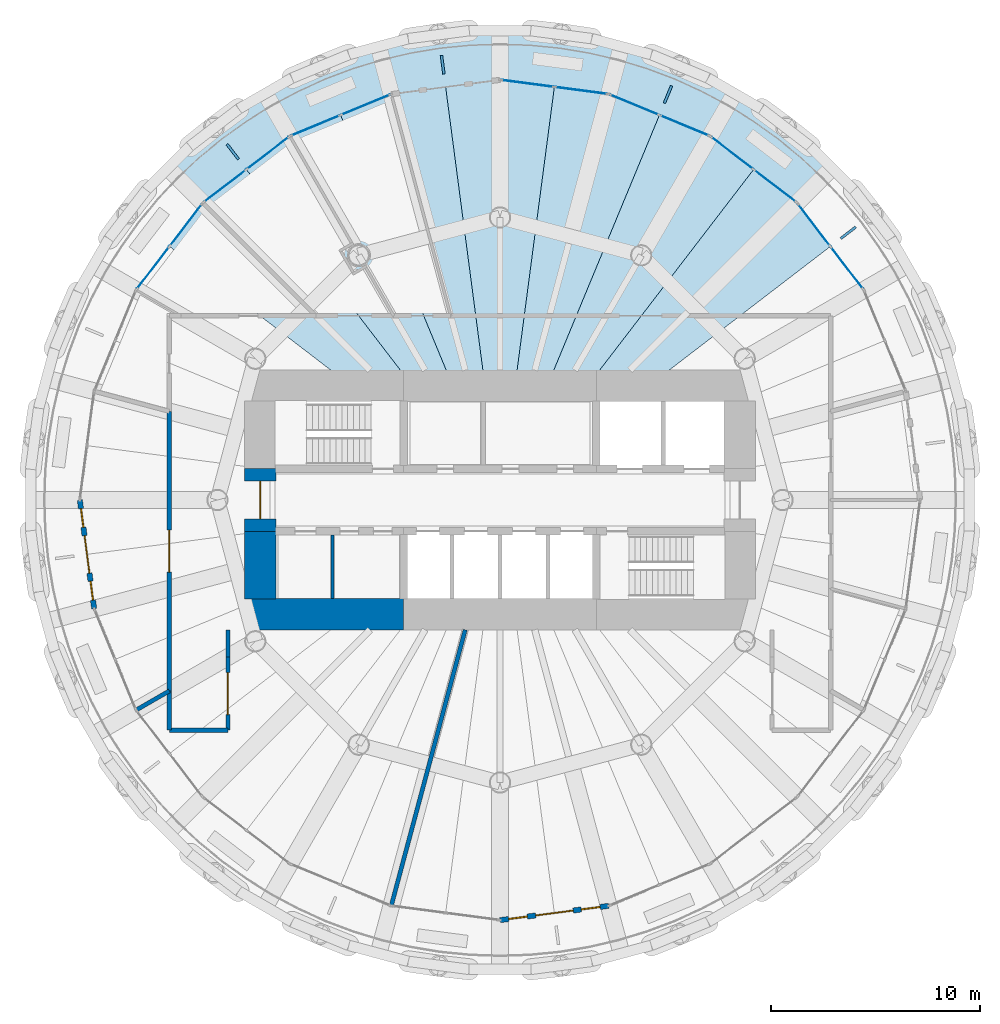
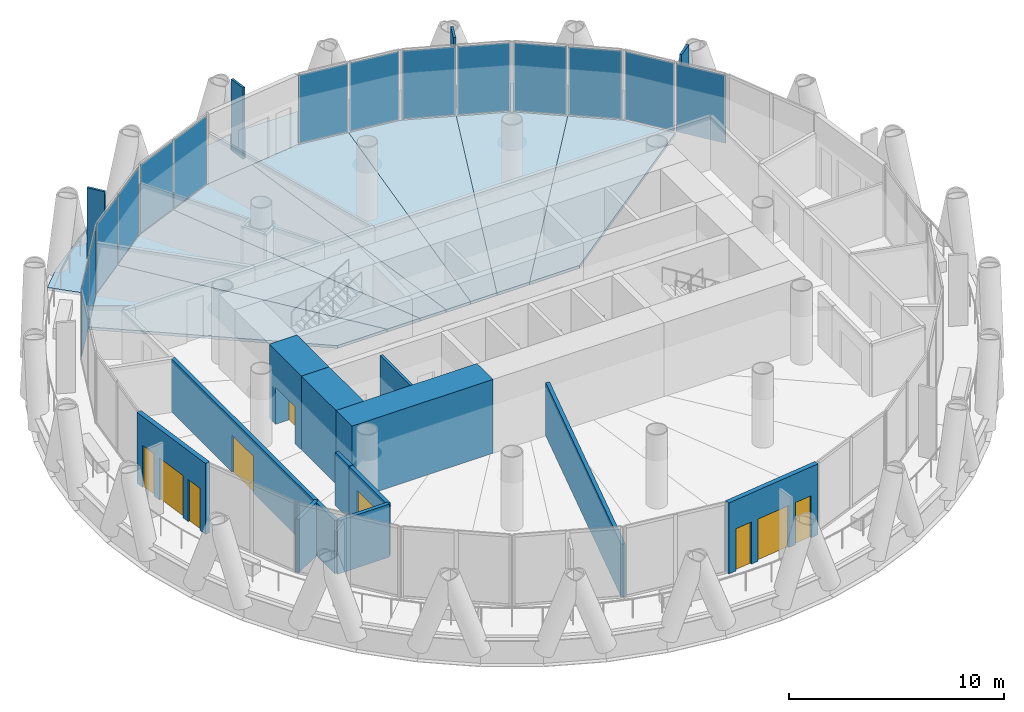
# One storey, part 9 of 15: 18 plates, 13 walls, 8 slabs, 5 doors, 4 windows, 9 openings, 7 elements without a shape of their own.
"""IFC4 building model written with IfcOpenShell, lengths in metres."""

from ifc_helpers import new_model, si_unit, direction, frame, frame_2d, origin, origin_2d, place, context, subcontext, project, spatial, polyline, rectangle, outline, extrude, material, layer, layer_set, type_object, element, fill, aggregate, save


model = new_model("IFC4")

# Units and contexts
model_context = context("Model", 3, precision=1e-05, world=origin(), true_north=direction((0.0, 1.0)))
body_context = subcontext(model_context, "Body", "Model", "MODEL_VIEW")
ifc_project = project(units=[si_unit("LENGTHUNIT", "METRE"), si_unit("AREAUNIT", "SQUARE_METRE"), si_unit("VOLUMEUNIT", "CUBIC_METRE"), si_unit("PLANEANGLEUNIT", "RADIAN"), si_unit("MASSUNIT", "GRAM", prefix="KILO")], contexts=[model_context])

# Site, building, storey
site_placement = place(None, origin())
site = spatial("IfcSite", under=ifc_project, at=site_placement, CompositionType="ELEMENT")
building_placement = place(site_placement, origin())
building = spatial("IfcBuilding", under=site, at=building_placement, Name="Qaws Media Tower", CompositionType="ELEMENT")
storey_placement = place(building_placement, frame((0.0, 0.0, 231.800048828125)))
storey = spatial("IfcBuildingStorey", under=building, at=storey_placement, Name="L53", CompositionType="ELEMENT", Elevation=231.800048828125)

# Slabs
ifc_material_1 = material(Name="Concrete C35/45", Category="concrete")
ifc_layer_1 = layer(ifc_material_1, 0.159912109375)
ifc_layer_set_1 = layer_set([ifc_layer_1], Name="Composite balcony slab 160")
slab_type_1 = type_object("IfcSlabType", Name="Composite balcony slab 160", PredefinedType="FLOOR", material=ifc_layer_set_1)
slab_1_placement = place(storey_placement, frame((0.0, 0.0, -0.16015625)))
element("IfcSlab", 1, at=slab_1_placement, inside=storey, type_object=slab_type_1, Name="S2 balcony slab L53 R04 to R10, movement joints on R04 and R10", PredefinedType="FLOOR", context=body_context, shape_type="SweptSolid", body=[
    extrude(outline(polyline([(45.18115234375, 66.897705078125), (47.513671875, 68.687255859375), (50.0595703125, 70.1572265625), (52.775634765625, 71.2822265625), (55.615234375, 72.043212890625), (58.530029296875, 72.427001953125), (61.469970703125, 72.427001953125), (64.384765625, 72.043212890625), (67.224365234375, 71.2822265625), (69.9404296875, 70.1572265625), (72.486328125, 68.687255859375), (74.81884765625, 66.897705078125), (75.858154296875, 65.858154296875), (74.1953125, 64.1953125), (70.03759765625, 67.385498046875), (65.19580078125, 69.39111328125), (60.0, 70.074951171875), (54.80419921875, 69.39111328125), (49.96240234375, 67.385498046875), (45.8046875, 64.1953125), (44.141845703125, 65.858154296875), (45.18115234375, 66.897705078125)])), origin(), (0.0, 0.0, 1.0), 0.16015625),
])
ifc_material_2 = material(Name="Concrete C35/45", Category="concrete")
ifc_layer_2 = layer(ifc_material_2, 0.159912109375)
ifc_layer_set_2 = layer_set([ifc_layer_2], Name="Composite floor slab 160")
slab_type_2 = type_object("IfcSlabType", Name="Composite floor slab 160", PredefinedType="FLOOR", material=ifc_layer_set_2)
slab_2_placement = place(storey_placement, frame((0.0, 0.0, -0.16015625)))
element("IfcSlab", 2, at=slab_2_placement, inside=storey, type_object=slab_type_2, Name="S1 floor panel L53 on R04", PredefinedType="FLOOR", context=body_context, shape_type="SweptSolid", body=[
    extrude(outline(polyline([(74.1953125, 64.1953125), (75.790283203125, 62.1162109375), (66.51611328125, 55.0), (63.836669921875, 55.0), (72.1162109375, 65.790283203125), (74.1953125, 64.1953125)])), origin(), (0.0, 0.0, 1.0), 0.16015625),
])
slab_3_placement = place(storey_placement, frame((0.0, 0.0, -0.16015625)))
element("IfcSlab", 3, at=slab_3_placement, inside=storey, type_object=slab_type_2, Name="S1 floor panel L53 on R05", PredefinedType="FLOOR", context=body_context, shape_type="SweptSolid", body=[
    extrude(outline(polyline([(70.03759765625, 67.385498046875), (72.1162109375, 65.790283203125), (63.836669921875, 55.0), (62.071044921875, 55.0), (67.61669921875, 68.38818359375), (70.03759765625, 67.385498046875)])), origin(), (0.0, 0.0, 1.0), 0.16015625),
])
slab_4_placement = place(storey_placement, frame((0.0, 0.0, -0.16015625)))
element("IfcSlab", 4, at=slab_4_placement, inside=storey, type_object=slab_type_2, Name="S1 floor panel L53 on R06", PredefinedType="FLOOR", context=body_context, shape_type="SweptSolid", body=[
    extrude(outline(polyline([(65.19580078125, 69.39111328125), (67.61669921875, 68.38818359375), (62.071044921875, 55.0), (60.658203125, 55.0), (62.597900390625, 69.73291015625), (65.19580078125, 69.39111328125)])), origin(), (0.0, 0.0, 1.0), 0.16015625),
])
slab_5_placement = place(storey_placement, frame((0.0, 0.0, -0.16015625)))
element("IfcSlab", 5, at=slab_5_placement, inside=storey, type_object=slab_type_2, Name="S1 floor panel L53 on R07", PredefinedType="FLOOR", context=body_context, shape_type="SweptSolid", body=[
    extrude(outline(polyline([(60.0, 70.074951171875), (62.597900390625, 69.73291015625), (60.658203125, 55.0), (59.341796875, 55.0), (57.402099609375, 69.73291015625), (60.0, 70.074951171875)])), origin(), (0.0, 0.0, 1.0), 0.16015625),
])
slab_6_placement = place(storey_placement, frame((0.0, 0.0, -0.16015625)))
element("IfcSlab", 6, at=slab_6_placement, inside=storey, type_object=slab_type_2, Name="S1 floor panel L53 on R08", PredefinedType="FLOOR", context=body_context, shape_type="SweptSolid", body=[
    extrude(outline(polyline([(54.80419921875, 69.39111328125), (57.402099609375, 69.73291015625), (59.341796875, 55.0), (57.928955078125, 55.0), (52.38330078125, 68.38818359375), (54.80419921875, 69.39111328125)])), origin(), (0.0, 0.0, 1.0), 0.16015625),
])
slab_7_placement = place(storey_placement, frame((0.0, 0.0, -0.16015625)))
element("IfcSlab", 7, at=slab_7_placement, inside=storey, type_object=slab_type_2, Name="S1 floor panel L53 on R09", PredefinedType="FLOOR", context=body_context, shape_type="SweptSolid", body=[
    extrude(outline(polyline([(49.96240234375, 67.385498046875), (52.38330078125, 68.38818359375), (57.928955078125, 55.0), (56.163330078125, 55.0), (47.8837890625, 65.790283203125), (49.96240234375, 67.385498046875)])), origin(), (0.0, 0.0, 1.0), 0.16015625),
])
slab_8_placement = place(storey_placement, frame((0.0, 0.0, -0.16015625)))
element("IfcSlab", 8, at=slab_8_placement, inside=storey, type_object=slab_type_2, Name="S1 floor panel L53 on R10", PredefinedType="FLOOR", context=body_context, shape_type="SweptSolid", body=[
    extrude(outline(polyline([(45.8046875, 64.1953125), (47.8837890625, 65.790283203125), (56.163330078125, 55.0), (53.48388671875, 55.0), (44.209716796875, 62.1162109375), (45.8046875, 64.1953125)])), origin(), (0.0, 0.0, 1.0), 0.16015625),
])

# Curtain wall, plates
ifc_material_3 = material(Name="Aluminium and clear glass", Category="aluminium")
curtain_wall_type = type_object("IfcCurtainWallType", Name="Unitised curtain wall CW-C", PredefinedType="NOTDEFINED", material=ifc_material_3)
curtain_wall_1_placement = place(storey_placement, origin())
curtain_wall_1 = element("IfcCurtainWall", 9, at=curtain_wall_1_placement, inside=storey, type_object=curtain_wall_type, Name="CWC curtain wall L53-03", PredefinedType="NOTDEFINED")
ifc_material_4 = material(Name="Clear laminated double glazing", Category="glass")
ifc_layer_3 = layer(ifc_material_4, 0.031982421875)
ifc_layer_set_3 = layer_set([ifc_layer_3], Name="Curtain wall glass unit 32")
plate_type_1 = type_object("IfcPlateType", Name="Curtain wall glass unit 32", PredefinedType="CURTAIN_PANEL", material=ifc_layer_set_3)
plate_1_placement = place(storey_placement, frame((76.57568359375, 61.0927734375, 0.080078125), z_axis=(0.0, 0.0, 1.0), x_axis=(-0.608761353254, 0.79335339842, 0.0)))
plate_1 = element("IfcPlate", 10, at=plate_1_placement, type_object=plate_type_1, Name="CWC panel 1.1", PredefinedType="CURTAIN_PANEL", context=body_context, shape_type="SweptSolid", body=[
    extrude(rectangle(XDim=2.500244140625, YDim=0.031982421875, at=origin_2d()), origin(), (0.0, 0.0, 1.0), 3.8798828125),
])
plate_2_placement = place(storey_placement, frame((75.0048828125, 63.139892578125, 0.080078125), z_axis=(0.0, 0.0, 1.0), x_axis=(-0.608761353254, 0.79335339842, 0.0)))
plate_2 = element("IfcPlate", 11, at=plate_2_placement, type_object=plate_type_1, Name="CWC panel 2.1", PredefinedType="CURTAIN_PANEL", context=body_context, shape_type="SweptSolid", body=[
    extrude(rectangle(XDim=2.500244140625, YDim=0.031982421875, at=origin_2d()), origin(), (0.0, 0.0, 1.0), 3.8798828125),
])
aggregate(curtain_wall_1, [plate_1, plate_2])

curtain_wall_2_placement = place(storey_placement, origin())
curtain_wall_2 = element("IfcCurtainWall", 12, at=curtain_wall_2_placement, inside=storey, type_object=curtain_wall_type, Name="CWC curtain wall L53-04", PredefinedType="NOTDEFINED")
plate_3_placement = place(storey_placement, frame((73.139892578125, 65.0048828125, 0.080078125), z_axis=(0.0, 0.0, 1.0), x_axis=(-0.79335339842, 0.608761353254, 0.0)))
plate_3 = element("IfcPlate", 13, at=plate_3_placement, type_object=plate_type_1, Name="CWC panel 1.1", PredefinedType="CURTAIN_PANEL", context=body_context, shape_type="SweptSolid", body=[
    extrude(rectangle(XDim=2.500244140625, YDim=0.031982421875, at=origin_2d()), origin(), (0.0, 0.0, 1.0), 3.8798828125),
])
plate_4_placement = place(storey_placement, frame((71.0927734375, 66.57568359375, 0.080078125), z_axis=(0.0, 0.0, 1.0), x_axis=(-0.79335339842, 0.608761353254, 0.0)))
plate_4 = element("IfcPlate", 14, at=plate_4_placement, type_object=plate_type_1, Name="CWC panel 2.1", PredefinedType="CURTAIN_PANEL", context=body_context, shape_type="SweptSolid", body=[
    extrude(rectangle(XDim=2.500244140625, YDim=0.031982421875, at=origin_2d()), origin(), (0.0, 0.0, 1.0), 3.8798828125),
])
aggregate(curtain_wall_2, [plate_3, plate_4])

curtain_wall_3_placement = place(storey_placement, origin())
curtain_wall_3 = element("IfcCurtainWall", 15, at=curtain_wall_3_placement, inside=storey, type_object=curtain_wall_type, Name="CWC curtain wall L53-05", PredefinedType="NOTDEFINED")
plate_5_placement = place(storey_placement, frame((68.80859375, 67.89453125, 0.080078125), z_axis=(0.0, 0.0, 1.0), x_axis=(-0.923879540513, 0.382683413048, 0.0)))
plate_5 = element("IfcPlate", 16, at=plate_5_placement, type_object=plate_type_1, Name="CWC panel 1.1", PredefinedType="CURTAIN_PANEL", context=body_context, shape_type="SweptSolid", body=[
    extrude(rectangle(XDim=2.500244140625, YDim=0.031982421875, at=origin_2d()), origin(), (0.0, 0.0, 1.0), 3.8798828125),
])
plate_6_placement = place(storey_placement, frame((66.4248046875, 68.8818359375, 0.080078125), z_axis=(0.0, 0.0, 1.0), x_axis=(-0.923879540513, 0.382683413048, 0.0)))
plate_6 = element("IfcPlate", 17, at=plate_6_placement, type_object=plate_type_1, Name="CWC panel 2.1", PredefinedType="CURTAIN_PANEL", context=body_context, shape_type="SweptSolid", body=[
    extrude(rectangle(XDim=2.500244140625, YDim=0.031982421875, at=origin_2d()), origin(), (0.0, 0.0, 1.0), 3.8798828125),
])
aggregate(curtain_wall_3, [plate_5, plate_6])

curtain_wall_4_placement = place(storey_placement, origin())
curtain_wall_4 = element("IfcCurtainWall", 18, at=curtain_wall_4_placement, inside=storey, type_object=curtain_wall_type, Name="CWC curtain wall L53-06", PredefinedType="NOTDEFINED")
plate_7_placement = place(storey_placement, frame((63.876953125, 69.564697265625, 0.080078125), z_axis=(0.0, 0.0, 1.0), x_axis=(-0.991444861219, 0.130526193397, 0.0)))
plate_7 = element("IfcPlate", 19, at=plate_7_placement, type_object=plate_type_1, Name="CWC panel 1.1", PredefinedType="CURTAIN_PANEL", context=body_context, shape_type="SweptSolid", body=[
    extrude(rectangle(XDim=2.500244140625, YDim=0.031982421875, at=origin_2d()), origin(), (0.0, 0.0, 1.0), 3.8798828125),
])
plate_8_placement = place(storey_placement, frame((61.31884765625, 69.9013671875, 0.080078125), z_axis=(0.0, 0.0, 1.0), x_axis=(-0.991444861219, 0.130526193397, 0.0)))
plate_8 = element("IfcPlate", 20, at=plate_8_placement, type_object=plate_type_1, Name="CWC panel 2.1", PredefinedType="CURTAIN_PANEL", context=body_context, shape_type="SweptSolid", body=[
    extrude(rectangle(XDim=2.500244140625, YDim=0.031982421875, at=origin_2d()), origin(), (0.0, 0.0, 1.0), 3.8798828125),
])
aggregate(curtain_wall_4, [plate_7, plate_8])

curtain_wall_5_placement = place(storey_placement, origin())
curtain_wall_5 = element("IfcCurtainWall", 21, at=curtain_wall_5_placement, inside=storey, type_object=curtain_wall_type, Name="CWC curtain wall L53-08", PredefinedType="NOTDEFINED")
plate_9_placement = place(storey_placement, frame((53.5751953125, 68.8818359375, 0.080078125), z_axis=(0.0, 0.0, 1.0), x_axis=(-0.923879540513, -0.382683413048, 0.0)))
plate_9 = element("IfcPlate", 22, at=plate_9_placement, type_object=plate_type_1, Name="CWC panel 1.1", PredefinedType="CURTAIN_PANEL", context=body_context, shape_type="SweptSolid", body=[
    extrude(rectangle(XDim=2.500244140625, YDim=0.031982421875, at=origin_2d()), origin(), (0.0, 0.0, 1.0), 3.8798828125),
])
plate_10_placement = place(storey_placement, frame((51.19140625, 67.89453125, 0.080078125), z_axis=(0.0, 0.0, 1.0), x_axis=(-0.923879540513, -0.382683413048, 0.0)))
plate_10 = element("IfcPlate", 23, at=plate_10_placement, type_object=plate_type_1, Name="CWC panel 2.1", PredefinedType="CURTAIN_PANEL", context=body_context, shape_type="SweptSolid", body=[
    extrude(rectangle(XDim=2.500244140625, YDim=0.031982421875, at=origin_2d()), origin(), (0.0, 0.0, 1.0), 3.8798828125),
])
aggregate(curtain_wall_5, [plate_9, plate_10])

curtain_wall_6_placement = place(storey_placement, origin())
curtain_wall_6 = element("IfcCurtainWall", 24, at=curtain_wall_6_placement, inside=storey, type_object=curtain_wall_type, Name="CWC curtain wall L53-09", PredefinedType="NOTDEFINED")
plate_11_placement = place(storey_placement, frame((48.9072265625, 66.57568359375, 0.080078125), z_axis=(0.0, 0.0, 1.0), x_axis=(-0.79335339842, -0.608761353254, 0.0)))
plate_11 = element("IfcPlate", 25, at=plate_11_placement, type_object=plate_type_1, Name="CWC panel 1.1", PredefinedType="CURTAIN_PANEL", context=body_context, shape_type="SweptSolid", body=[
    extrude(rectangle(XDim=2.500244140625, YDim=0.031982421875, at=origin_2d()), origin(), (0.0, 0.0, 1.0), 3.8798828125),
])
plate_12_placement = place(storey_placement, frame((46.860107421875, 65.0048828125, 0.080078125), z_axis=(0.0, 0.0, 1.0), x_axis=(-0.79335339842, -0.608761353254, 0.0)))
plate_12 = element("IfcPlate", 26, at=plate_12_placement, type_object=plate_type_1, Name="CWC panel 2.1", PredefinedType="CURTAIN_PANEL", context=body_context, shape_type="SweptSolid", body=[
    extrude(rectangle(XDim=2.500244140625, YDim=0.031982421875, at=origin_2d()), origin(), (0.0, 0.0, 1.0), 3.8798828125),
])
aggregate(curtain_wall_6, [plate_11, plate_12])

curtain_wall_7_placement = place(storey_placement, origin())
curtain_wall_7 = element("IfcCurtainWall", 27, at=curtain_wall_7_placement, inside=storey, type_object=curtain_wall_type, Name="CWC curtain wall L53-10", PredefinedType="NOTDEFINED")
plate_13_placement = place(storey_placement, frame((44.9951171875, 63.139892578125, 0.080078125), z_axis=(0.0, 0.0, 1.0), x_axis=(-0.608761353254, -0.79335339842, 0.0)))
plate_13 = element("IfcPlate", 28, at=plate_13_placement, type_object=plate_type_1, Name="CWC panel 1.1", PredefinedType="CURTAIN_PANEL", context=body_context, shape_type="SweptSolid", body=[
    extrude(rectangle(XDim=2.500244140625, YDim=0.031982421875, at=origin_2d()), origin(), (0.0, 0.0, 1.0), 3.8798828125),
])
plate_14_placement = place(storey_placement, frame((43.42431640625, 61.0927734375, 0.080078125), z_axis=(0.0, 0.0, 1.0), x_axis=(-0.608761353254, -0.79335339842, 0.0)))
plate_14 = element("IfcPlate", 29, at=plate_14_placement, type_object=plate_type_1, Name="CWC panel 2.1", PredefinedType="CURTAIN_PANEL", context=body_context, shape_type="SweptSolid", body=[
    extrude(rectangle(XDim=2.500244140625, YDim=0.031982421875, at=origin_2d()), origin(), (0.0, 0.0, 1.0), 3.8798828125),
])
aggregate(curtain_wall_7, [plate_13, plate_14])

# Plates
ifc_material_5 = material(Name="Precast concrete screen fin", Category="concrete")
ifc_layer_4 = layer(ifc_material_5, 0.1201171875)
ifc_layer_set_4 = layer_set([ifc_layer_4], Name="Screen fin 120x900")
plate_type_2 = type_object("IfcPlateType", Name="Screen fin 120x900", PredefinedType="USERDEFINED", material=ifc_layer_set_4)
for number, where, z_axis, x_axis, name in (
    (30, (76.640625, 62.768798828125, 0.0), (0.0, 0.0, 1.0), (0.793353340291, 0.608761429009, 0.0), "SCR1 screen fin L53-02"),
    (31, (68.02685546875, 69.37841796875, 0.0), (0.0, 0.0, 1.0), (0.382683432365, 0.923879532511, 0.0), "SCR1 screen fin L53-03"),
    (32, (57.26220703125, 70.795654296875, 0.0), (0.0, 0.0, 1.0), (-0.13052619222, 0.991444861374, 0.0), "SCR1 screen fin L53-04"),
    (33, (47.231201171875, 66.640625, 0.0), (0.0, 0.0, 1.0), (-0.608761429009, 0.793353340291, 0.0), "SCR1 screen fin L53-05"),
):
    element("IfcPlate", number, at=place(storey_placement, frame(where, z_axis=z_axis, x_axis=x_axis)), inside=storey, type_object=plate_type_2, Name=name, ObjectType="SCREEN", PredefinedType="USERDEFINED", context=body_context, shape_type="SweptSolid", body=[
        extrude(rectangle(XDim=0.89990234375, YDim=0.1201171875, at=origin_2d()), origin(), (0.0, 0.0, 1.0), 4.0400390625),
    ])

# Wall, openings, door, windows
ifc_material_6 = material(Name="Precast concrete, exposed finish", Category="concrete")
ifc_layer_5 = layer(ifc_material_6, 0.25)
ifc_layer_set_5 = layer_set([ifc_layer_5], Name="Balcony door wall 250")
wall_type_1 = type_object("IfcWallType", Name="Balcony door wall 250", PredefinedType="SOLIDWALL", material=ifc_layer_set_5)
wall_1_placement = place(storey_placement, frame((39.925048828125, 50.0, 0.0), z_axis=(0.0, 0.0, 1.0), x_axis=(0.130534047724, -0.991443827145, 0.0)))
wall_1 = element("IfcWall", 34, at=wall_1_placement, inside=storey, type_object=wall_type_1, Name="W248 EW1 balcony door wall L53-13", PredefinedType="SOLIDWALL", context=body_context, shape_type="SweptSolid", body=[
    extrude(rectangle(XDim=5.24072265625, YDim=0.25, at=frame_2d((2.620361328125, 0.0))), origin(), (0.0, 0.0, 1.0), 4.0400390625),
])
opening_1_placement = place(wall_1_placement, frame((1.72021484375, 0.0, 0.0)))
opening_1 = element("IfcOpeningElement", 35, at=opening_1_placement, cuts=wall_1, Name="Opening D7", PredefinedType="OPENING", context=body_context, shape_type="SweptSolid", body=[
    extrude(rectangle(XDim=1.800048828125, YDim=2.39990234375, at=frame_2d((0.89990234375, 1.199951171875))), frame((0.0, 0.135009765625, 0.0), z_axis=(0.0, -1.0, 0.0), x_axis=(1.0, 0.0, 0.0)), (0.0, 0.0, 1.0), 0.27001953125),
])
opening_2_placement = place(wall_1_placement, frame((0.42041015625, 0.0, 0.0)))
opening_2 = element("IfcOpeningElement", 36, at=opening_2_placement, cuts=wall_1, Name="Opening W7", PredefinedType="OPENING", context=body_context, shape_type="SweptSolid", body=[
    extrude(rectangle(XDim=0.89990234375, YDim=2.39990234375, at=frame_2d((0.449951171875, 1.199951171875))), frame((0.0, 0.135009765625, 0.0), z_axis=(0.0, -1.0, 0.0), x_axis=(1.0, 0.0, 0.0)), (0.0, 0.0, 1.0), 0.27001953125),
])
opening_3_placement = place(wall_1_placement, frame((3.92041015625, 0.0, 0.0)))
opening_3 = element("IfcOpeningElement", 37, at=opening_3_placement, cuts=wall_1, Name="Opening W7", PredefinedType="OPENING", context=body_context, shape_type="SweptSolid", body=[
    extrude(rectangle(XDim=0.89990234375, YDim=2.39990234375, at=frame_2d((0.449951171875, 1.199951171875))), frame((0.0, 0.135009765625, 0.0), z_axis=(0.0, -1.0, 0.0), x_axis=(1.0, 0.0, 0.0)), (0.0, 0.0, 1.0), 0.27001953125),
])
ifc_material_7 = material(Name="Aluminium and clear glass", Category="aluminium")
door_type_1 = type_object("IfcDoorType", Name="Balcony door pair 1800", OperationType="DOUBLE_DOOR_SLIDING", PredefinedType="DOOR", material=ifc_material_7)
door_1_placement = place(opening_1_placement, origin())
door_1 = element("IfcDoor", 38, at=door_1_placement, inside=storey, type_object=door_type_1, Name="D7 balcony door L53-13 in wall W248", OperationType="DOUBLE_DOOR_SLIDING", OverallHeight=2.39990234375, OverallWidth=1.800048828125, PredefinedType="DOOR", context=body_context, shape_type="SweptSolid", body=[
    extrude(rectangle(XDim=1.800048828125, YDim=2.39990234375, at=frame_2d((0.89990234375, 1.199951171875))), frame((0.0, 0.02490234375, 0.0), z_axis=(0.0, -1.0, 0.0), x_axis=(1.0, 0.0, 0.0)), (0.0, 0.0, 1.0), 0.050048828125),
])
fill(opening_1, door_1)
ifc_material_8 = material(Name="Aluminium and clear glass", Category="aluminium")
window_type = type_object("IfcWindowType", Name="Balcony side window 900", PartitioningType="SINGLE_PANEL", PredefinedType="WINDOW", material=ifc_material_8)
window_1_placement = place(opening_2_placement, origin())
window_1 = element("IfcWindow", 39, at=window_1_placement, inside=storey, type_object=window_type, Name="W1 balcony side light L53-13L", OverallHeight=2.39990234375, OverallWidth=0.89990234375, PartitioningType="SINGLE_PANEL", PredefinedType="WINDOW", context=body_context, shape_type="SweptSolid", body=[
    extrude(rectangle(XDim=0.89990234375, YDim=2.39990234375, at=frame_2d((0.449951171875, 1.199951171875))), frame((0.0, 0.030029296875, 0.0), z_axis=(0.0, -1.0, 0.0), x_axis=(1.0, 0.0, 0.0)), (0.0, 0.0, 1.0), 0.06005859375),
])
fill(opening_2, window_1)
window_2_placement = place(opening_3_placement, origin())
window_2 = element("IfcWindow", 40, at=window_2_placement, inside=storey, type_object=window_type, Name="W1 balcony side light L53-13R", OverallHeight=2.39990234375, OverallWidth=0.89990234375, PartitioningType="SINGLE_PANEL", PredefinedType="WINDOW", context=body_context, shape_type="SweptSolid", body=[
    extrude(rectangle(XDim=0.89990234375, YDim=2.39990234375, at=frame_2d((0.449951171875, 1.199951171875))), frame((0.0, 0.030029296875, 0.0), z_axis=(0.0, -1.0, 0.0), x_axis=(1.0, 0.0, 0.0)), (0.0, 0.0, 1.0), 0.06005859375),
])
fill(opening_3, window_2)

wall_2_placement = place(storey_placement, frame((60.0, 29.925048828125, 0.0), z_axis=(0.0, 0.0, 1.0), x_axis=(0.991443827145, 0.130534047724, 0.0)))
wall_2 = element("IfcWall", 41, at=wall_2_placement, inside=storey, type_object=wall_type_1, Name="W249 EW1 balcony door wall L53-19", PredefinedType="SOLIDWALL", context=body_context, shape_type="SweptSolid", body=[
    extrude(rectangle(XDim=5.24072265625, YDim=0.25, at=frame_2d((2.620361328125, 0.0))), origin(), (0.0, 0.0, 1.0), 4.0400390625),
])
opening_4_placement = place(wall_2_placement, frame((1.72021484375, 0.0, 0.0)))
opening_4 = element("IfcOpeningElement", 42, at=opening_4_placement, cuts=wall_2, Name="Opening D7", PredefinedType="OPENING", context=body_context, shape_type="SweptSolid", body=[
    extrude(rectangle(XDim=1.800048828125, YDim=2.39990234375, at=frame_2d((0.89990234375, 1.199951171875))), frame((0.0, 0.135009765625, 0.0), z_axis=(0.0, -1.0, 0.0), x_axis=(1.0, 0.0, 0.0)), (0.0, 0.0, 1.0), 0.27001953125),
])
opening_5_placement = place(wall_2_placement, frame((0.42041015625, 0.0, 0.0)))
opening_5 = element("IfcOpeningElement", 43, at=opening_5_placement, cuts=wall_2, Name="Opening W7", PredefinedType="OPENING", context=body_context, shape_type="SweptSolid", body=[
    extrude(rectangle(XDim=0.89990234375, YDim=2.39990234375, at=frame_2d((0.449951171875, 1.199951171875))), frame((0.0, 0.135009765625, 0.0), z_axis=(0.0, -1.0, 0.0), x_axis=(1.0, 0.0, 0.0)), (0.0, 0.0, 1.0), 0.27001953125),
])
opening_6_placement = place(wall_2_placement, frame((3.92041015625, 0.0, 0.0)))
opening_6 = element("IfcOpeningElement", 44, at=opening_6_placement, cuts=wall_2, Name="Opening W7", PredefinedType="OPENING", context=body_context, shape_type="SweptSolid", body=[
    extrude(rectangle(XDim=0.89990234375, YDim=2.39990234375, at=frame_2d((0.449951171875, 1.199951171875))), frame((0.0, 0.135009765625, 0.0), z_axis=(0.0, -1.0, 0.0), x_axis=(1.0, 0.0, 0.0)), (0.0, 0.0, 1.0), 0.27001953125),
])
door_2_placement = place(opening_4_placement, origin())
door_2 = element("IfcDoor", 45, at=door_2_placement, inside=storey, type_object=door_type_1, Name="D7 balcony door L53-19 in wall W249", OperationType="DOUBLE_DOOR_SLIDING", OverallHeight=2.39990234375, OverallWidth=1.800048828125, PredefinedType="DOOR", context=body_context, shape_type="SweptSolid", body=[
    extrude(rectangle(XDim=1.800048828125, YDim=2.39990234375, at=frame_2d((0.89990234375, 1.199951171875))), frame((0.0, 0.02490234375, 0.0), z_axis=(0.0, -1.0, 0.0), x_axis=(1.0, 0.0, 0.0)), (0.0, 0.0, 1.0), 0.050048828125),
])
fill(opening_4, door_2)
window_3_placement = place(opening_5_placement, origin())
window_3 = element("IfcWindow", 46, at=window_3_placement, inside=storey, type_object=window_type, Name="W1 balcony side light L53-19L", OverallHeight=2.39990234375, OverallWidth=0.89990234375, PartitioningType="SINGLE_PANEL", PredefinedType="WINDOW", context=body_context, shape_type="SweptSolid", body=[
    extrude(rectangle(XDim=0.89990234375, YDim=2.39990234375, at=frame_2d((0.449951171875, 1.199951171875))), frame((0.0, 0.030029296875, 0.0), z_axis=(0.0, -1.0, 0.0), x_axis=(1.0, 0.0, 0.0)), (0.0, 0.0, 1.0), 0.06005859375),
])
fill(opening_5, window_3)
window_4_placement = place(opening_6_placement, origin())
window_4 = element("IfcWindow", 47, at=window_4_placement, inside=storey, type_object=window_type, Name="W1 balcony side light L53-19R", OverallHeight=2.39990234375, OverallWidth=0.89990234375, PartitioningType="SINGLE_PANEL", PredefinedType="WINDOW", context=body_context, shape_type="SweptSolid", body=[
    extrude(rectangle(XDim=0.89990234375, YDim=2.39990234375, at=frame_2d((0.449951171875, 1.199951171875))), frame((0.0, 0.030029296875, 0.0), z_axis=(0.0, -1.0, 0.0), x_axis=(1.0, 0.0, 0.0)), (0.0, 0.0, 1.0), 0.06005859375),
])
fill(opening_6, window_4)

# Walls
ifc_material_9 = material(Name="Concrete C60/75", Category="concrete")
ifc_layer_6 = layer(ifc_material_9, 1.5)
ifc_layer_set_6 = layer_set([ifc_layer_6], Name="Core wall 1500")
wall_type_2 = type_object("IfcWallType", Name="Core wall 1500", PredefinedType="SHEAR", material=ifc_layer_set_6)
wall_3_placement = place(storey_placement, frame((47.800048828125, 44.550048828125, 0.0), z_axis=(0.0, 0.0, 1.0), x_axis=(1.0, 0.0, 0.0)))
element("IfcWall", 48, at=wall_3_placement, inside=storey, type_object=wall_type_2, Name="W376 SW13 core wall SW L53", PredefinedType="SHEAR", context=body_context, shape_type="SweptSolid", body=[
    extrude(rectangle(XDim=7.599853515625, YDim=1.5, at=frame_2d((3.7998046875, 0.0))), origin(), (0.0, 0.0, 1.0), 4.199951171875),
])
wall_4_placement = place(storey_placement, frame((48.550048828125, 45.280029296875, 0.0), z_axis=(0.0, 0.0, 1.0), x_axis=(0.0, 1.0, 0.0)))
element("IfcWall", 49, at=wall_4_placement, inside=storey, type_object=wall_type_2, Name="W378 SW13 core wall WS L53", PredefinedType="SHEAR", context=body_context, shape_type="SweptSolid", body=[
    extrude(rectangle(XDim=3.219970703125, YDim=1.5, at=frame_2d((1.60986328125, 0.0))), origin(), (0.0, 0.0, 1.0), 4.199951171875),
])

# Wall, opening, door
wall_5_placement = place(storey_placement, frame((48.550048828125, 48.5, 0.0), z_axis=(0.0, 0.0, 1.0), x_axis=(0.0, 1.0, 0.0)))
wall_5 = element("IfcWall", 50, at=wall_5_placement, inside=storey, type_object=wall_type_2, Name="W379 SW13 core wall W L53", PredefinedType="SHEAR", context=body_context, shape_type="SweptSolid", body=[
    extrude(rectangle(XDim=3.0, YDim=1.5, at=frame_2d((1.5, 0.0))), origin(), (0.0, 0.0, 1.0), 4.199951171875),
])
opening_7_placement = place(wall_5_placement, frame((0.60009765625, 0.0, 0.0)))
opening_7 = element("IfcOpeningElement", 51, at=opening_7_placement, cuts=wall_5, Name="Opening D2", PredefinedType="OPENING", context=body_context, shape_type="SweptSolid", body=[
    extrude(rectangle(XDim=1.800048828125, YDim=2.10009765625, at=frame_2d((0.89990234375, 1.050048828125))), frame((0.0, 0.760009765625, 0.0), z_axis=(0.0, -1.0, 0.0), x_axis=(1.0, 0.0, 0.0)), (0.0, 0.0, 1.0), 1.52001953125),
])
ifc_material_10 = material(Name="Steel and glass, fire rated", Category="steel")
door_type_2 = type_object("IfcDoorType", Name="Lobby door pair 1800 FD60", OperationType="DOUBLE_DOOR_DOUBLE_SWING", PredefinedType="DOOR", material=ifc_material_10)
door_3_placement = place(opening_7_placement, origin())
door_3 = element("IfcDoor", 52, at=door_3_placement, inside=storey, type_object=door_type_2, Name="D2 core lobby door W L53 in wall W379", OperationType="DOUBLE_DOOR_DOUBLE_SWING", OverallHeight=2.10009765625, OverallWidth=1.800048828125, PredefinedType="DOOR", context=body_context, shape_type="SweptSolid", body=[
    extrude(rectangle(XDim=1.800048828125, YDim=2.10009765625, at=frame_2d((0.89990234375, 1.050048828125))), frame((0.0, 0.02490234375, 0.0), z_axis=(0.0, -1.0, 0.0), x_axis=(1.0, 0.0, 0.0)), (0.0, 0.0, 1.0), 0.050048828125),
])
fill(opening_7, door_3)

# Wall
ifc_material_11 = material(Name="Gypsum board on galvanised metal studs, acoustic double stud, deflection head", Category="gypsum")
ifc_layer_7 = layer(ifc_material_11, 0.199951171875)
ifc_layer_set_7 = layer_set([ifc_layer_7], Name="Room partition 200")
wall_type_3 = type_object("IfcWallType", Name="Room partition 200", PredefinedType="PARTITIONING", material=ifc_layer_set_7)
wall_6_placement = place(storey_placement, frame((47.0, 43.800048828125, 0.0), z_axis=(0.0, 0.0, 1.0), x_axis=(0.0, -1.0, 0.0)))
element("IfcWall", 53, at=wall_6_placement, inside=storey, type_object=wall_type_3, Name="W1570 IW3 partition L53", PredefinedType="PARTITIONING", context=body_context, shape_type="SweptSolid", body=[
    extrude(rectangle(XDim=1.3056640625, YDim=0.199951171875, at=frame_2d((0.65283203125, 0.0))), origin(), (0.0, 0.0, 1.0), 3.0400390625),
])

# Wall, opening, door
wall_7_placement = place(storey_placement, frame((47.0, 42.494384765625, 0.0), z_axis=(0.0, 0.0, 1.0), x_axis=(0.0, -1.0, 0.0)))
wall_7 = element("IfcWall", 54, at=wall_7_placement, inside=storey, type_object=wall_type_3, Name="W1599 IW3 partition L53", PredefinedType="PARTITIONING", context=body_context, shape_type="SweptSolid", body=[
    extrude(rectangle(XDim=3.494384765625, YDim=0.199951171875, at=frame_2d((1.7470703125, 0.0))), origin(), (0.0, 0.0, 1.0), 3.02001953125),
])
opening_8_placement = place(wall_7_placement, frame((0.747314453125, 0.0, 0.0)))
opening_8 = element("IfcOpeningElement", 55, at=opening_8_placement, cuts=wall_7, Name="Opening D6", PredefinedType="OPENING", context=body_context, shape_type="SweptSolid", body=[
    extrude(rectangle(XDim=2.0, YDim=2.10009765625, at=frame_2d((1.0, 1.050048828125))), frame((0.0, 0.10986328125, 0.0), z_axis=(0.0, -1.0, 0.0), x_axis=(1.0, 0.0, 0.0)), (0.0, 0.0, 1.0), 0.219970703125),
])
ifc_material_12 = material(Name="Steel, acoustic, fire rated", Category="steel")
door_type_3 = type_object("IfcDoorType", Name="Room door pair 2000", OperationType="DOUBLE_DOOR_DOUBLE_SWING", PredefinedType="DOOR", material=ifc_material_12)
door_4_placement = place(opening_8_placement, origin())
door_4 = element("IfcDoor", 56, at=door_4_placement, inside=storey, type_object=door_type_3, Name="D6 Tenant office door L53 in wall W1599", OperationType="DOUBLE_DOOR_DOUBLE_SWING", OverallHeight=2.10009765625, OverallWidth=2.0, PredefinedType="DOOR", context=body_context, shape_type="SweptSolid", body=[
    extrude(rectangle(XDim=2.0, YDim=2.10009765625, at=frame_2d((1.0, 1.050048828125))), frame((0.0, 0.02490234375, 0.0), z_axis=(0.0, -1.0, 0.0), x_axis=(1.0, 0.0, 0.0)), (0.0, 0.0, 1.0), 0.050048828125),
])
fill(opening_8, door_4)

# Walls
wall_8_placement = place(storey_placement, frame((47.0, 39.0, 0.0), z_axis=(0.0, 0.0, 1.0), x_axis=(-1.0, 0.0, 0.0)))
element("IfcWall", 57, at=wall_8_placement, inside=storey, type_object=wall_type_3, Name="W1630 IW3 partition L53", PredefinedType="PARTITIONING", context=body_context, shape_type="SweptSolid", body=[
    extrude(rectangle(XDim=2.800048828125, YDim=0.199951171875, at=frame_2d((1.39990234375, 0.0))), origin(), (0.0, 0.0, 1.0), 3.02001953125),
])
wall_9_placement = place(storey_placement, frame((44.199951171875, 39.0, 0.0), z_axis=(0.0, 0.0, 1.0), x_axis=(0.0, 1.0, 0.0)))
element("IfcWall", 58, at=wall_9_placement, inside=storey, type_object=wall_type_3, Name="W1215 IW3 partition L53", PredefinedType="PARTITIONING", context=body_context, shape_type="SweptSolid", body=[
    extrude(rectangle(XDim=1.8779296875, YDim=0.199951171875, at=frame_2d((0.93896484375, 0.0))), origin(), (0.0, 0.0, 1.0), 3.0400390625),
])

# Wall, opening, door
wall_10_placement = place(storey_placement, frame((44.199951171875, 40.8779296875, 0.0), z_axis=(0.0, 0.0, 1.0), x_axis=(0.0, 1.0, 0.0)))
wall_10 = element("IfcWall", 59, at=wall_10_placement, inside=storey, type_object=wall_type_3, Name="W1611 IW3 partition L53", PredefinedType="PARTITIONING", context=body_context, shape_type="SweptSolid", body=[
    extrude(rectangle(XDim=13.355712890625, YDim=0.199951171875, at=frame_2d((6.677734375, 0.0))), origin(), (0.0, 0.0, 1.0), 3.02001953125),
])
opening_9_placement = place(wall_10_placement, frame((5.677978515625, 0.0, 0.0)))
opening_9 = element("IfcOpeningElement", 60, at=opening_9_placement, cuts=wall_10, Name="Opening D6", PredefinedType="OPENING", context=body_context, shape_type="SweptSolid", body=[
    extrude(rectangle(XDim=2.0, YDim=2.10009765625, at=frame_2d((1.0, 1.050048828125))), frame((0.0, 0.10986328125, 0.0), z_axis=(0.0, -1.0, 0.0), x_axis=(1.0, 0.0, 0.0)), (0.0, 0.0, 1.0), 0.219970703125),
])
door_5_placement = place(opening_9_placement, origin())
door_5 = element("IfcDoor", 61, at=door_5_placement, inside=storey, type_object=door_type_3, Name="D6 Tenant office door L53 in wall W1611", OperationType="DOUBLE_DOOR_DOUBLE_SWING", OverallHeight=2.10009765625, OverallWidth=2.0, PredefinedType="DOOR", context=body_context, shape_type="SweptSolid", body=[
    extrude(rectangle(XDim=2.0, YDim=2.10009765625, at=frame_2d((1.0, 1.050048828125))), frame((0.0, 0.02490234375, 0.0), z_axis=(0.0, -1.0, 0.0), x_axis=(1.0, 0.0, 0.0)), (0.0, 0.0, 1.0), 0.050048828125),
])
fill(opening_9, door_5)

# Walls
wall_11_placement = place(storey_placement, frame((44.20361328125, 40.8798828125, 0.0), z_axis=(0.0, 0.0, 1.0), x_axis=(-0.866024765567, -0.500001105423, 0.0)))
element("IfcWall", 62, at=wall_11_placement, inside=storey, type_object=wall_type_3, Name="W1629 IW3 partition L53", PredefinedType="PARTITIONING", context=body_context, shape_type="SweptSolid", body=[
    extrude(rectangle(XDim=1.794921875, YDim=0.199951171875, at=frame_2d((0.8974609375, 0.0))), origin(), (0.0, 0.0, 1.0), 3.0400390625),
])
wall_12_placement = place(storey_placement, frame((58.33837890625, 43.798828125, 0.0), z_axis=(0.0, 0.0, 1.0), x_axis=(-0.2588086864, -0.965928601836, 0.0)))
element("IfcWall", 63, at=wall_12_placement, inside=storey, type_object=wall_type_3, Name="W1632 IW3 partition L53", PredefinedType="PARTITIONING", context=body_context, shape_type="SweptSolid", body=[
    extrude(rectangle(XDim=13.614990234375, YDim=0.199951171875, at=frame_2d((6.8076171875, 0.0))), origin(), (0.0, 0.0, 1.0), 3.02001953125),
])
ifc_material_13 = material(Name="Gypsum board on galvanised metal studs, deflection head", Category="gypsum")
ifc_layer_8 = layer(ifc_material_13, 0.14990234375)
ifc_layer_set_8 = layer_set([ifc_layer_8], Name="WC partition 150")
wall_type_4 = type_object("IfcWallType", Name="WC partition 150", PredefinedType="PARTITIONING", material=ifc_layer_set_8)
wall_13_placement = place(storey_placement, frame((52.0, 45.300048828125, 0.0), z_axis=(0.0, 0.0, 1.0), x_axis=(0.0, 1.0, 0.0)))
element("IfcWall", 64, at=wall_13_placement, inside=storey, type_object=wall_type_4, Name="W1925 IW2 toilet partition 1 L53", PredefinedType="PARTITIONING", context=body_context, shape_type="SweptSolid", body=[
    extrude(rectangle(XDim=3.02490234375, YDim=0.14990234375, at=frame_2d((1.512451171875, 0.0))), origin(), (0.0, 0.0, 1.0), 4.0400390625),
])

save(model, "model.ifc")
